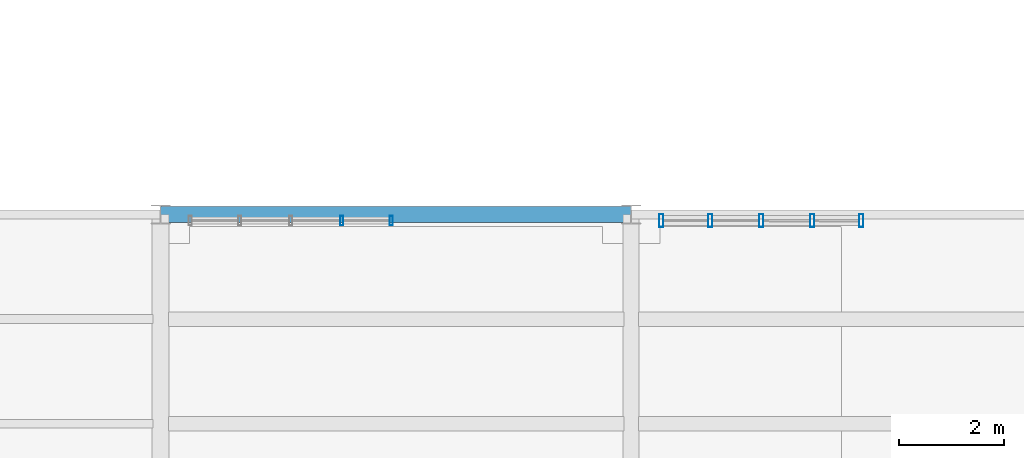
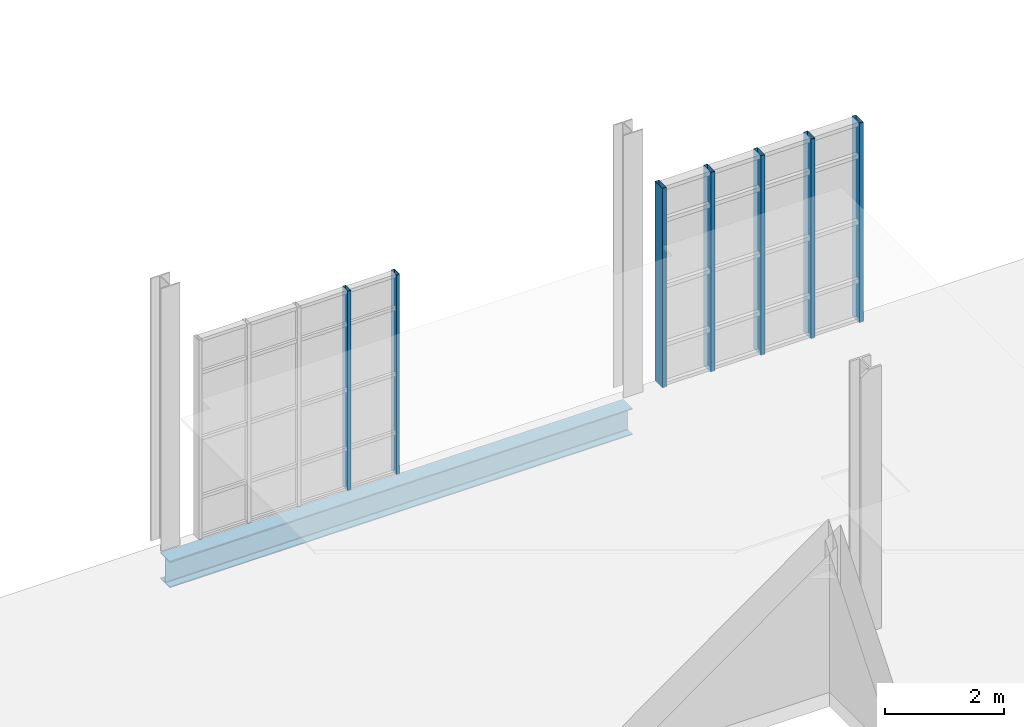
# One storey, part 109 of 189: 7 members, 1 beam, 2 elements without a shape of their own.
"""IFC4 building model written with IfcOpenShell, lengths in metres."""

import ifcopenshell
import ifcopenshell.guid

model = None  # the IFC model being written
_history = None  # IfcOwnerHistory: only IFC2X3 demands one
_inside = {}  # id of a spatial element -> (the spatial element, [elements in it])
_under = {}  # id of a project, library or spatial element -> (it, [spatial elements below it])
_declared = {}  # id of a project -> (the project, [libraries it declares])
_typed = {}  # id of a type object -> (the type object, [elements of that type])
_made_of = {}  # id of a material, layer set ... -> (it, [elements and type objects made of it])


def new_model(schema):
    """Start an empty IFC model of exactly this schema.

    Asked for "IFC4X3", IfcOpenShell would pick the latest addendum, in which some entities
    have other attributes; the version numbers below select the first issue.
    IFC2X3 requires an IfcOwnerHistory on every rooted entity: one is made here for all.
    """
    global model, _history
    if schema == "IFC4X3":
        model = ifcopenshell.file(schema_version=(4, 3, 0, 0))
    else:
        model = ifcopenshell.file(schema=schema)
    _inside.clear()
    _under.clear()
    _declared.clear()
    _typed.clear()
    _made_of.clear()
    _history = None
    if model.schema == "IFC2X3":
        org = make("IfcOrganization", Name="unknown")
        user = make(
            "IfcPersonAndOrganization",
            ThePerson=make("IfcPerson", FamilyName="unknown"),
            TheOrganization=org,
        )
        app = make(
            "IfcApplication",
            ApplicationDeveloper=org,
            Version="unknown",
            ApplicationFullName="unknown",
            ApplicationIdentifier="unknown",
        )
        _history = make(
            "IfcOwnerHistory",
            OwningUser=user,
            OwningApplication=app,
            ChangeAction="ADDED",
            CreationDate=0,
        )
    return model


def make(cls, **values):
    """One entity of the class cls with the attributes given. An attribute that is None is left unset."""
    return model.create_entity(
        cls, **{name: value for name, value in values.items() if value is not None}
    )


def rooted(cls, **values):
    """An entity with a GlobalId (a new one), such as an element, a storey or a relation."""
    return make(cls, GlobalId=ifcopenshell.guid.new(), OwnerHistory=_history, **values)


def si_unit(unit_type, name, prefix=None):
    """IfcSIUnit, for example si_unit("LENGTHUNIT", "METRE", prefix="MILLI")."""
    return make("IfcSIUnit", UnitType=unit_type, Prefix=prefix, Name=name)


def assignment(units):
    """IfcUnitAssignment: the units of a project."""
    return None if units is None else make("IfcUnitAssignment", Units=units)


def point(xyz):
    """IfcCartesianPoint."""
    return None if xyz is None else make("IfcCartesianPoint", Coordinates=xyz)


def direction(xyz):
    """IfcDirection."""
    return None if xyz is None else make("IfcDirection", DirectionRatios=xyz)


def frame(location, z_axis=None, x_axis=None):
    """IfcAxis2Placement3D, a coordinate frame: its origin and axes. An axis left out is left unset."""
    return make(
        "IfcAxis2Placement3D",
        Location=point(location),
        Axis=direction(z_axis),
        RefDirection=direction(x_axis),
    )


def frame_2d(location, x_axis=None):
    """IfcAxis2Placement2D, a coordinate frame in the plane: its origin and x axis."""
    return make(
        "IfcAxis2Placement2D", Location=point(location), RefDirection=direction(x_axis)
    )


def origin():
    """The frame at (0, 0, 0) with its axes left unset."""
    return frame((0.0, 0.0, 0.0))


def origin_2d():
    """The frame at (0, 0) in the plane with its x axis left unset."""
    return frame_2d((0.0, 0.0))


def place(relative_to, where):
    """IfcLocalPlacement: puts the frame where relative to a parent placement (None: the world)."""
    return make(
        "IfcLocalPlacement", PlacementRelTo=relative_to, RelativePlacement=where
    )


def context(
    kind, dimensions, precision=None, world=None, true_north=None, identifier=None
):
    """IfcGeometricRepresentationContext, for example the 3D "Model" context."""
    return make(
        "IfcGeometricRepresentationContext",
        ContextIdentifier=identifier,
        ContextType=kind,
        CoordinateSpaceDimension=dimensions,
        Precision=precision,
        WorldCoordinateSystem=world,
        TrueNorth=true_north,
    )


def subcontext(parent, identifier, kind, view, scale=None):
    """IfcGeometricRepresentationSubContext, for example "Body" below "Model"."""
    return make(
        "IfcGeometricRepresentationSubContext",
        ContextIdentifier=identifier,
        ContextType=kind,
        ParentContext=parent,
        TargetScale=scale,
        TargetView=view,
    )


def project(units=None, contexts=None):
    """IfcProject with its units and contexts."""
    return rooted(
        "IfcProject",
        Name="project",
        RepresentationContexts=contexts,
        UnitsInContext=assignment(units),
    )


def spatial(cls, under=None, at=None, **own):
    """A site, building, storey or space (cls), placed at a placement, below another one or the project."""
    s = rooted(cls, ObjectPlacement=at, **own)
    if under is not None:
        _under.setdefault(under.id(), (under, []))[1].append(s)
    return s


def profile(cls, at=None, kind="AREA", **sizes):
    """A parametric profile (cls). Its sizes go by their IFC names, for example OverallWidth=200.0."""
    return make(cls, ProfileType=kind, Position=at, **sizes)


def hollow_rectangle(**sizes):
    """IfcRectangleHollowProfileDef."""
    return profile("IfcRectangleHollowProfileDef", **sizes)


def i_section(**sizes):
    """IfcIShapeProfileDef."""
    return profile("IfcIShapeProfileDef", **sizes)


def extrude(swept, where, along, depth):
    """IfcExtrudedAreaSolid: the profile swept, set in the frame where, extruded along a direction by depth."""
    return make(
        "IfcExtrudedAreaSolid",
        SweptArea=swept,
        Position=where,
        ExtrudedDirection=direction(along),
        Depth=depth,
    )


def shape(context_of_items, identifier, shape_type, items):
    """IfcShapeRepresentation: the items that make up one representation, for example the "Body"."""
    return make(
        "IfcShapeRepresentation",
        ContextOfItems=context_of_items,
        RepresentationIdentifier=identifier,
        RepresentationType=shape_type,
        Items=items,
    )


def material(Name=None, Category=None):
    """IfcMaterial."""
    return make("IfcMaterial", Name=Name, Category=Category)


def layer(
    of_material, thickness, ventilated=None, Name=None, Category=None, Priority=None
):
    """IfcMaterialLayer: one layer of a wall or slab, of a material (None: an air gap)."""
    return make(
        "IfcMaterialLayer",
        Material=of_material,
        LayerThickness=thickness,
        IsVentilated=ventilated,
        Name=Name,
        Category=Category,
        Priority=Priority,
    )


def layer_set(layers, Name=None):
    """IfcMaterialLayerSet."""
    return make("IfcMaterialLayerSet", MaterialLayers=layers, LayerSetName=Name)


def material_profile(
    of_material, cross_section, Name=None, Category=None, Priority=None
):
    """IfcMaterialProfile: a cross section and its material."""
    return make(
        "IfcMaterialProfile",
        Name=Name,
        Material=of_material,
        Profile=cross_section,
        Priority=Priority,
        Category=Category,
    )


def profile_set(profiles, Name=None, composite=None):
    """IfcMaterialProfileSet."""
    return make(
        "IfcMaterialProfileSet",
        Name=Name,
        MaterialProfiles=profiles,
        CompositeProfile=composite,
    )


def made_of(thing, what):
    """Note that an element or type object is made of a material, layer set ...; save() writes the relation."""
    if what is not None:
        _made_of.setdefault(what.id(), (what, []))[1].append(thing)
    return thing


def type_object(cls, material=None, **own):
    """A type object (cls), such as IfcWallType, which elements share."""
    return made_of(rooted(cls, **own), material)


def element(
    cls,
    number,
    at=None,
    inside=None,
    cuts=None,
    type_object=None,
    material=None,
    context=None,
    identifier="Body",
    shape_type=None,
    held_by="IfcProductDefinitionShape",
    body=None,
    shapes=None,
    **own,
):
    """One element of the class cls, such as IfcWall. Its Tag is "e" and its number.

    at: its placement. inside: the storey or other place that contains it. cuts: it is an
    opening in that element (IfcRelVoidsElement). A single representation is given by context,
    identifier, shape_type and body (its items); several are given by shapes. held_by: the class
    of the entity that holds the representations. save() writes the other relations.
    """
    e = rooted(cls, Tag="e%d" % number, ObjectPlacement=at, **own)
    if body is not None:
        shapes = [shape(context, identifier, shape_type, body)]
    if shapes is not None:
        e.Representation = make(held_by, Representations=shapes)
    if inside is not None:
        _inside.setdefault(inside.id(), (inside, []))[1].append(e)
    if cuts is not None:
        rooted(
            "IfcRelVoidsElement", RelatingBuildingElement=cuts, RelatedOpeningElement=e
        )
    if type_object is not None:
        _typed.setdefault(type_object.id(), (type_object, []))[1].append(e)
    return made_of(e, material)


def aggregate(whole, parts):
    """IfcRelAggregates: a whole, such as a stair, and the parts it consists of."""
    return rooted("IfcRelAggregates", RelatingObject=whole, RelatedObjects=parts)


def save(model, path):
    """Write the relations noted so far, then the file.

    IfcRelAggregates (storeys below a building ...), IfcRelContainedInSpatialStructure (elements
    in a storey), IfcRelDefinesByType, IfcRelAssociatesMaterial and IfcRelDeclares: one each for
    every whole, place, type object, material and project.
    """
    for whole, parts in _under.values():
        aggregate(whole, parts)
    for where, things in _inside.values():
        rooted(
            "IfcRelContainedInSpatialStructure",
            RelatedElements=things,
            RelatingStructure=where,
        )
    for kind, things in _typed.values():
        rooted("IfcRelDefinesByType", RelatedObjects=things, RelatingType=kind)
    for what, things in _made_of.values():
        rooted("IfcRelAssociatesMaterial", RelatedObjects=things, RelatingMaterial=what)
    for by, libraries in _declared.values():
        rooted("IfcRelDeclares", RelatingContext=by, RelatedDefinitions=libraries)
    model.write(path)


model = new_model("IFC4")

# Units and contexts
model_context = context("Model", 3, precision=1e-05, world=origin(), true_north=direction((0.0, 1.0)))
body_context = subcontext(model_context, "Body", "Model", "MODEL_VIEW")
ifc_project = project(units=[si_unit("LENGTHUNIT", "METRE"), si_unit("AREAUNIT", "SQUARE_METRE"), si_unit("VOLUMEUNIT", "CUBIC_METRE"), si_unit("PLANEANGLEUNIT", "RADIAN"), si_unit("MASSUNIT", "GRAM", prefix="KILO"), si_unit("THERMODYNAMICTEMPERATUREUNIT", "KELVIN"), si_unit("POWERUNIT", "WATT")], contexts=[model_context])

# Site, building, storey
site_placement = place(None, origin())
site = spatial("IfcSite", under=ifc_project, at=site_placement, CompositionType="ELEMENT")
building_placement = place(site_placement, origin())
building = spatial("IfcBuilding", under=site, at=building_placement, Name="Zelmaris Science Centre", CompositionType="ELEMENT")
storey_placement = place(building_placement, origin())
storey = spatial("IfcBuildingStorey", under=building, at=storey_placement, Name="L00", CompositionType="ELEMENT", Elevation=0.0)

# Curtain wall, members
ifc_material_1 = material(Name="Anodised architectural aluminium 6063-T6", Category="aluminium")
ifc_layer_1 = layer(ifc_material_1, 0.2099609375, Name="Anodised architectural aluminium 6063-T6")
ifc_layer_set_1 = layer_set([ifc_layer_1], Name="Anodised architectural aluminium 6063-T6")
curtain_wall_type_1 = type_object("IfcCurtainWallType", Name="Curtain Wall CW-03", PredefinedType="USERDEFINED", material=ifc_layer_set_1)
curtain_wall_1_placement = place(storey_placement, origin())
curtain_wall_1 = element("IfcCurtainWall", 1, at=curtain_wall_1_placement, inside=storey, type_object=curtain_wall_type_1, Name="L00 Unitised curtain wall 95", ObjectType="GLAZED CURTAIN WALL", PredefinedType="USERDEFINED")
ifc_material_profile_1 = material_profile(ifc_material_1, hollow_rectangle(XDim=0.06494140625, YDim=0.179931640625, WallThickness=0.00390625, at=origin_2d()), Name="ALU-MUL-65X180")
ifc_profile_set_1 = profile_set([ifc_material_profile_1], Name="Anodised architectural aluminium 6063-T6")
member_type_1 = type_object("IfcMemberType", Name="ALU-MUL-65X180", PredefinedType="MULLION", material=ifc_profile_set_1)
member_1_placement = place(storey_placement, frame((129.465087890625, 55.884521484375, -0.014892578125), z_axis=(0.0, 0.0, 1.0), x_axis=(0.999999981234, -0.000193731546, 0.0)))
member_1 = element("IfcMember", 2, at=member_1_placement, type_object=member_type_1, Name="CW-03 mullion 4", PredefinedType="MULLION", context=body_context, shape_type="SweptSolid", body=[
    extrude(hollow_rectangle(XDim=0.06494140625, YDim=0.179931640625, WallThickness=0.00390625, at=origin_2d()), origin(), (0.0, 0.0, 1.0), 4.10888671875),
])
member_2_placement = place(storey_placement, frame((130.41162109375, 55.88427734375, -0.014892578125), z_axis=(0.0, 0.0, 1.0), x_axis=(0.999999981234, -0.000193731546, 0.0)))
member_2 = element("IfcMember", 3, at=member_2_placement, type_object=member_type_1, Name="CW-03 mullion 5", PredefinedType="MULLION", context=body_context, shape_type="SweptSolid", body=[
    extrude(hollow_rectangle(XDim=0.06494140625, YDim=0.179931640625, WallThickness=0.00390625, at=origin_2d()), origin(), (0.0, 0.0, 1.0), 4.10888671875),
])
aggregate(curtain_wall_1, [member_1, member_2])

ifc_layer_2 = layer(ifc_material_1, 0.18994140625, Name="Anodised architectural aluminium 6063-T6")
ifc_layer_set_2 = layer_set([ifc_layer_2], Name="Anodised architectural aluminium 6063-T6")
curtain_wall_type_2 = type_object("IfcCurtainWallType", Name="Curtain Wall CW-01", PredefinedType="USERDEFINED", material=ifc_layer_set_2)
curtain_wall_2_placement = place(storey_placement, origin())
curtain_wall_2 = element("IfcCurtainWall", 4, at=curtain_wall_2_placement, inside=storey, type_object=curtain_wall_type_2, Name="L00 Unitised curtain wall 97", ObjectType="GLAZED CURTAIN WALL", PredefinedType="USERDEFINED")
ifc_material_profile_2 = material_profile(ifc_material_1, hollow_rectangle(XDim=0.080078125, YDim=0.25, WallThickness=0.0048828125, at=origin_2d()), Name="ALU-MUL-80X250")
ifc_profile_set_2 = profile_set([ifc_material_profile_2], Name="Anodised architectural aluminium 6063-T6")
member_type_2 = type_object("IfcMemberType", Name="ALU-MUL-80X250", PredefinedType="MULLION", material=ifc_profile_set_2)
member_3_placement = place(storey_placement, frame((135.575927734375, 55.88330078125, -0.014892578125), z_axis=(0.0, 0.0, 1.0), x_axis=(0.999999981234, -0.000193731546, 0.0)))
member_3 = element("IfcMember", 5, at=member_3_placement, type_object=member_type_2, Name="CW-01 mullion 1", PredefinedType="MULLION", context=body_context, shape_type="SweptSolid", body=[
    extrude(hollow_rectangle(XDim=0.080078125, YDim=0.25, WallThickness=0.0048828125, at=origin_2d()), origin(), (0.0, 0.0, 1.0), 4.10888671875),
])
member_4_placement = place(storey_placement, frame((136.514892578125, 55.883056640625, -0.014892578125), z_axis=(0.0, 0.0, 1.0), x_axis=(0.999999981234, -0.000193731546, 0.0)))
member_4 = element("IfcMember", 6, at=member_4_placement, type_object=member_type_2, Name="CW-01 mullion 2", PredefinedType="MULLION", context=body_context, shape_type="SweptSolid", body=[
    extrude(hollow_rectangle(XDim=0.080078125, YDim=0.25, WallThickness=0.0048828125, at=origin_2d()), origin(), (0.0, 0.0, 1.0), 4.10888671875),
])
member_5_placement = place(storey_placement, frame((137.489990234375, 55.883056640625, -0.014892578125), z_axis=(0.0, 0.0, 1.0), x_axis=(0.999999981234, -0.000193731546, 0.0)))
member_5 = element("IfcMember", 7, at=member_5_placement, type_object=member_type_2, Name="CW-01 mullion 3", PredefinedType="MULLION", context=body_context, shape_type="SweptSolid", body=[
    extrude(hollow_rectangle(XDim=0.080078125, YDim=0.25, WallThickness=0.0048828125, at=origin_2d()), origin(), (0.0, 0.0, 1.0), 4.10888671875),
])
member_6_placement = place(storey_placement, frame((138.465087890625, 55.8828125, -0.014892578125), z_axis=(0.0, 0.0, 1.0), x_axis=(0.999999981234, -0.000193731546, 0.0)))
member_6 = element("IfcMember", 8, at=member_6_placement, type_object=member_type_2, Name="CW-01 mullion 4", PredefinedType="MULLION", context=body_context, shape_type="SweptSolid", body=[
    extrude(hollow_rectangle(XDim=0.080078125, YDim=0.25, WallThickness=0.0048828125, at=origin_2d()), origin(), (0.0, 0.0, 1.0), 4.10888671875),
])
member_7_placement = place(storey_placement, frame((139.404052734375, 55.882568359375, -0.014892578125), z_axis=(0.0, 0.0, 1.0), x_axis=(0.999999981234, -0.000193731546, 0.0)))
member_7 = element("IfcMember", 9, at=member_7_placement, type_object=member_type_2, Name="CW-01 mullion 5", PredefinedType="MULLION", context=body_context, shape_type="SweptSolid", body=[
    extrude(hollow_rectangle(XDim=0.080078125, YDim=0.25, WallThickness=0.0048828125, at=origin_2d()), origin(), (0.0, 0.0, 1.0), 4.10888671875),
])
aggregate(curtain_wall_2, [member_3, member_4, member_5, member_6, member_7])

# Beam
ifc_material_2 = material(Name="Steel ASTM A992 Grade 50", Category="steel")
ifc_material_profile_3 = material_profile(ifc_material_2, i_section(OverallWidth=0.31201171875, OverallDepth=0.5458984375, WebThickness=0.013916015625, FlangeThickness=0.022216796875, FilletRadius=0.013916015625, at=origin_2d()), Name="W21X111")
ifc_profile_set_3 = profile_set([ifc_material_profile_3], Name="Steel ASTM A992 Grade 50")
beam_type = type_object("IfcBeamType", Name="Beam G-39 W21X111", PredefinedType="BEAM", material=ifc_profile_set_3)
beam_placement = place(storey_placement, frame((126.0, 56.0, -0.56298828125), z_axis=(1.0, 0.0, 0.0), x_axis=(0.0, 1.0, 0.0)))
element("IfcBeam", 10, at=beam_placement, inside=storey, type_object=beam_type, Name="L00 East-west girder 152", PredefinedType="BEAM", context=body_context, shape_type="SweptSolid", body=[
    extrude(i_section(OverallWidth=0.31201171875, OverallDepth=0.5458984375, WebThickness=0.013916015625, FlangeThickness=0.022216796875, FilletRadius=0.013916015625, at=origin_2d()), origin(), (0.0, 0.0, 1.0), 9.0),
])

save(model, "model.ifc")
